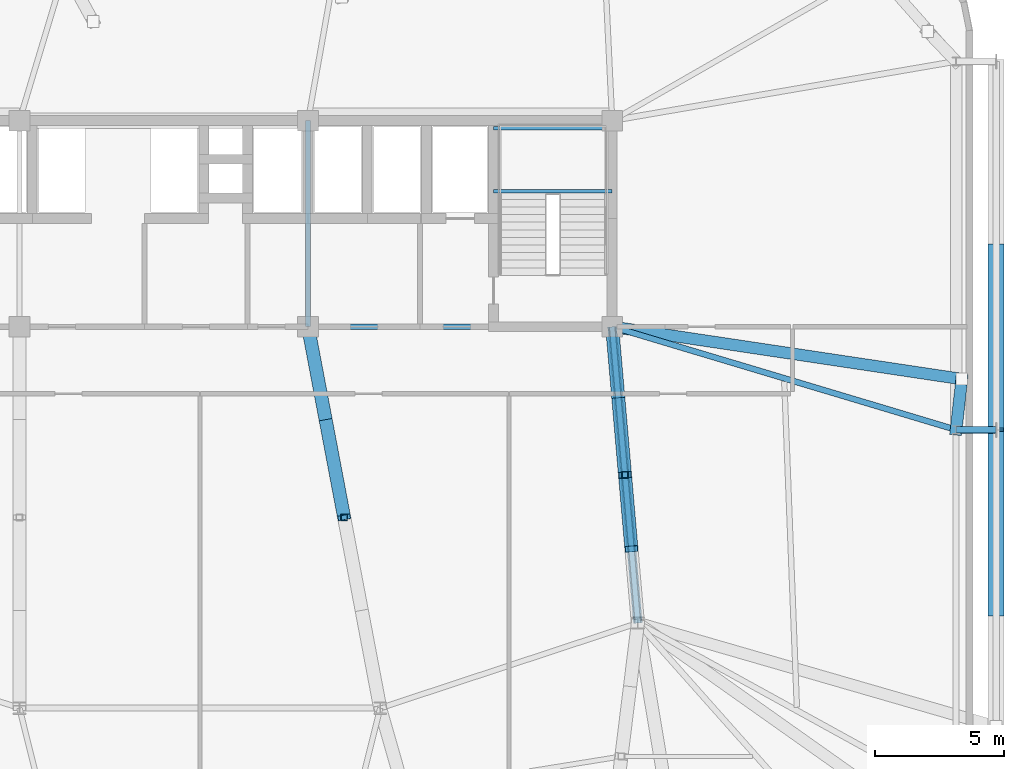
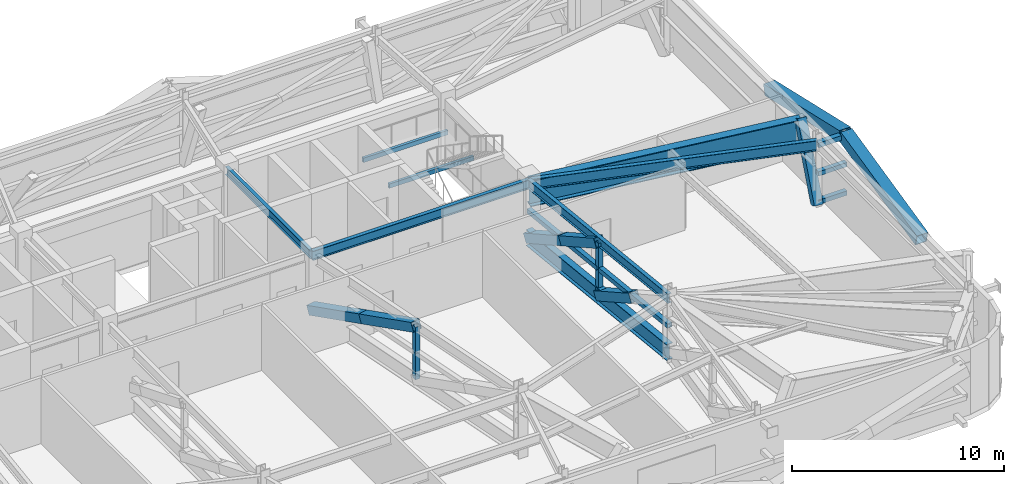
# One storey, part 10 of 24: 17 members, 7 beams.
"""IFC4 building model written with IfcOpenShell, lengths in metres."""

from ifc_helpers import new_model, si_unit, direction, frame, origin, origin_2d, place, context, subcontext, project, spatial, hollow_rectangle, i_section, extrude, source, transform, mapped, material, material_profile, profile_set, type_object, element, save


model = new_model("IFC4")

# Units and contexts
model_context = context("Model", 3, precision=1e-05, world=origin(), true_north=direction((0.0, 1.0)))
body_context = subcontext(model_context, "Body", "Model", "MODEL_VIEW")
ifc_project = project(units=[si_unit("LENGTHUNIT", "METRE"), si_unit("AREAUNIT", "SQUARE_METRE"), si_unit("VOLUMEUNIT", "CUBIC_METRE"), si_unit("PLANEANGLEUNIT", "RADIAN"), si_unit("MASSUNIT", "GRAM", prefix="KILO")], contexts=[model_context])

# Site, building, storey
site_placement = place(None, origin())
site = spatial("IfcSite", under=ifc_project, at=site_placement, CompositionType="ELEMENT")
building_placement = place(site_placement, origin())
building = spatial("IfcBuilding", under=site, at=building_placement, Name="Taldren Reach Tower", CompositionType="ELEMENT")
storey_placement = place(building_placement, frame((0.0, 0.0, 60.89990234375)))
storey = spatial("IfcBuildingStorey", under=building, at=storey_placement, Name="L18", CompositionType="ELEMENT", Elevation=60.89990234375)

# Beams
ifc_material_1 = material(Name="Steel Gr 350 (350PLUS)", Category="steel")
ifc_material_profile_1 = material_profile(ifc_material_1, i_section(OverallWidth=0.208984375, OverallDepth=0.532958984375, WebThickness=0.01025390625, FlangeThickness=0.015625, at=origin_2d()), Name="530UB92.4")
ifc_profile_set_1 = profile_set([ifc_material_profile_1], Name="Steel Gr 350 (350PLUS)")
beam_type_1 = type_object("IfcBeamType", Name="BM-UB530A", PredefinedType="BEAM", material=ifc_profile_set_1)
shared_shape_1 = source(origin(), body_context, "Body", "SweptSolid", [
    extrude(i_section(OverallWidth=0.208984375, OverallDepth=0.532958984375, WebThickness=0.01025390625, FlangeThickness=0.015625, at=origin_2d()), origin(), (0.0, 0.0, 1.0), 11.800048828125),
])
beam_1_placement = place(storey_placement, frame((39.199951171875, 24.0, 3.513671875), z_axis=(1.0, 0.0, 0.0), x_axis=(0.0, 1.0, 0.0)))
element("IfcBeam", 1, at=beam_1_placement, inside=storey, type_object=beam_type_1, Name="Core-spine girder L18-SP03", PredefinedType="BEAM", context=body_context, shape_type="MappedRepresentation", body=[
    mapped(shared_shape_1, transform((0.0, 0.0, 0.0), scale=1.0)),
])
ifc_material_profile_2 = material_profile(ifc_material_1, i_section(OverallWidth=0.19091796875, OverallDepth=0.4599609375, WebThickness=0.010009765625, FlangeThickness=0.01611328125, at=origin_2d()), Name="460UB82.1")
ifc_profile_set_2 = profile_set([ifc_material_profile_2], Name="Steel Gr 350 (350PLUS)")
beam_type_2 = type_object("IfcBeamType", Name="BM-UB460A", PredefinedType="BEAM", material=ifc_profile_set_2)
shared_shape_2 = source(origin(), body_context, "Body", "SweptSolid", [
    extrude(i_section(OverallWidth=0.19091796875, OverallDepth=0.4599609375, WebThickness=0.010009765625, FlangeThickness=0.01611328125, at=origin_2d()), origin(), (0.0, 0.0, 1.0), 8.0),
])
beam_2_placement = place(storey_placement, frame((39.199951171875, 24.0, 3.550048828125), z_axis=(0.0, 1.0, 0.0), x_axis=(-1.0, 0.0, 0.0)))
element("IfcBeam", 2, at=beam_2_placement, inside=storey, type_object=beam_type_2, Name="Core-spine girder L18-SP08", PredefinedType="BEAM", context=body_context, shape_type="MappedRepresentation", body=[
    mapped(shared_shape_2, transform((0.0, 0.0, 0.0), scale=1.0)),
])
shared_shape_3 = source(origin(), body_context, "Body", "SweptSolid", [
    extrude(i_section(OverallWidth=0.208984375, OverallDepth=0.532958984375, WebThickness=0.01025390625, FlangeThickness=0.015625, at=origin_2d()), origin(), (0.0, 0.0, 1.0), 11.54345703125),
])
beam_3_placement = place(storey_placement, frame((52.0, 12.5, 3.513671875), z_axis=(-0.086629616365, 0.996240588196, 0.0), x_axis=(-0.996240588196, -0.086629616365, 0.0)))
element("IfcBeam", 3, at=beam_3_placement, inside=storey, type_object=beam_type_1, Name="Core-spine girder L18-SP13", PredefinedType="BEAM", context=body_context, shape_type="MappedRepresentation", body=[
    mapped(shared_shape_3, transform((0.0, 0.0, 0.0), scale=1.0)),
])
ifc_material_profile_3 = material_profile(ifc_material_1, i_section(OverallWidth=0.22802734375, OverallDepth=0.60205078125, WebThickness=0.010498046875, FlangeThickness=0.014892578125, at=origin_2d()), Name="610UB101")
ifc_profile_set_3 = profile_set([ifc_material_profile_3], Name="Steel Gr 350 (350PLUS)")
beam_type_3 = type_object("IfcBeamType", Name="BM-UB610B", PredefinedType="BEAM", material=ifc_profile_set_3)
shared_shape_4 = source(origin(), body_context, "Body", "SweptSolid", [
    extrude(i_section(OverallWidth=0.22802734375, OverallDepth=0.60205078125, WebThickness=0.010498046875, FlangeThickness=0.014892578125, at=origin_2d()), origin(), (0.0, 0.0, 1.0), 13.9365234375),
])
beam_4_placement = place(storey_placement, frame((51.0, 24.0, 3.47900390625), z_axis=(0.957925550891, -0.287016792104, 0.0), x_axis=(0.287016792104, 0.957925550891, 0.0)))
element("IfcBeam", 4, at=beam_4_placement, inside=storey, type_object=beam_type_3, Name="Primary floor girder B1-E2 L18", PredefinedType="BEAM", context=body_context, shape_type="MappedRepresentation", body=[
    mapped(shared_shape_4, transform((0.0, 0.0, 0.0), scale=1.0)),
])

# Members
ifc_material_2 = material(Name="Steel Gr 450 (C450L0)", Category="steel")
ifc_material_profile_4 = material_profile(ifc_material_2, hollow_rectangle(XDim=0.27490234375, YDim=0.27490234375, WallThickness=0.00927734375, at=origin_2d()), Name="275x275x9.3SHS")
ifc_profile_set_4 = profile_set([ifc_material_profile_4], Name="Steel Gr 450 (C450L0)")
member_type_1 = type_object("IfcMemberType", Name="MB-TIE273", PredefinedType="STRUT", material=ifc_profile_set_4)
shared_shape_5 = source(origin(), body_context, "Body", "SweptSolid", [
    extrude(hollow_rectangle(XDim=0.27490234375, YDim=0.27490234375, WallThickness=0.00927734375, at=origin_2d()), origin(), (0.0, 0.0, 1.0), 1.5498046875),
])
member_1_placement = place(storey_placement, frame((64.35009765625, 20.0, 3.5), z_axis=(1.0, 0.0, 0.0), x_axis=(0.0, 1.0, 0.0)))
element("IfcMember", 5, at=member_1_placement, inside=storey, type_object=member_type_1, Name="Exoskeleton diaphragm tie strut B1-E2 L18", PredefinedType="STRUT", context=body_context, shape_type="MappedRepresentation", body=[
    mapped(shared_shape_5, transform((0.0, 0.0, 0.0), scale=1.0)),
])
ifc_material_3 = material(Name="Steel Gr 350 (C350L0)", Category="steel")
ifc_material_profile_5 = material_profile(ifc_material_3, hollow_rectangle(XDim=0.25, YDim=0.25, WallThickness=0.010009765625, at=origin_2d()), Name="250x250x10.0SHS")
ifc_profile_set_5 = profile_set([ifc_material_profile_5], Name="Steel Gr 350 (C350L0)")
member_type_2 = type_object("IfcMemberType", Name="MB-POST250", PredefinedType="POST", material=ifc_profile_set_5)
shared_shape_6 = source(origin(), body_context, "Body", "SweptSolid", [
    extrude(hollow_rectangle(XDim=0.25, YDim=0.25, WallThickness=0.010009765625, at=origin_2d()), origin(), (0.0, 0.0, 1.0), 1.5498046875),
])
for number, where, z_axis, x_axis, name in (
    (6, (64.35009765625, 20.0, 0.22021484375), (1.0, 0.0, 0.0), (0.0, 1.0, 0.0), "Exoskeleton base diaphragm tie strut B1-E2 L18"),
    (7, (64.35009765625, 20.0, 1.860107421875), (1.0, 0.0, 0.0), (0.0, 1.0, 0.0), "Exoskeleton mid-tier diaphragm tie B1-E2 L18"),
):
    element("IfcMember", number, at=place(storey_placement, frame(where, z_axis=z_axis, x_axis=x_axis)), inside=storey, type_object=member_type_2, Name=name, PredefinedType="POST", context=body_context, shape_type="MappedRepresentation", body=[
        mapped(shared_shape_6, transform((0.0, 0.0, 0.0), scale=1.0)),
    ])
ifc_material_profile_6 = material_profile(ifc_material_2, hollow_rectangle(XDim=0.4599609375, YDim=0.4599609375, WallThickness=0.01611328125, at=origin_2d()), Name="460x460x16.0SHS")
ifc_profile_set_6 = profile_set([ifc_material_profile_6], Name="Steel Gr 450 (C450L0)")
member_type_3 = type_object("IfcMemberType", Name="MB-EXO457", PredefinedType="BRACE", material=ifc_profile_set_6)
shared_shape_7 = source(origin(), body_context, "Body", "SweptSolid", [
    extrude(hollow_rectangle(XDim=0.4599609375, YDim=0.4599609375, WallThickness=0.01611328125, at=origin_2d()), origin(), (0.0, 0.0, 1.0), 4.25),
])
member_2_placement = place(storey_placement, frame((64.35009765625, 20.0, 0.02001953125), z_axis=(0.051642516951, 0.463289098117, 0.884701227539), x_axis=(-0.993844599746, 0.110783173611, 0.0)))
element("IfcMember", 8, at=member_2_placement, inside=storey, type_object=member_type_3, Name="Outrigger Belt Truss Transfer Strut TS-B2-E2 L18", PredefinedType="BRACE", context=body_context, shape_type="MappedRepresentation", body=[
    mapped(shared_shape_7, transform((0.0, 0.0, 0.0), scale=1.0)),
])

# Beam
ifc_material_profile_7 = material_profile(ifc_material_1, i_section(OverallWidth=0.449951171875, OverallDepth=1.5, WebThickness=0.02001953125, FlangeThickness=0.0439453125, at=origin_2d()), Name="1500WB550")
ifc_profile_set_7 = profile_set([ifc_material_profile_7], Name="Steel Gr 350 (350PLUS)")
beam_type_4 = type_object("IfcBeamType", Name="BM-PG1500", PredefinedType="BEAM", material=ifc_profile_set_7)
shared_shape_8 = source(origin(), body_context, "Body", "SweptSolid", [
    extrude(i_section(OverallWidth=0.449951171875, OverallDepth=1.5, WebThickness=0.02001953125, FlangeThickness=0.0439453125, at=origin_2d()), origin(), (0.0, 0.0, 1.0), 13.720703125),
])
beam_5_placement = place(storey_placement, frame((51.0, 24.0, 3.030029296875), z_axis=(0.988983679407, -0.148024598856, 0.0), x_axis=(0.148024598856, 0.988983679407, 0.0)))
element("IfcBeam", 9, at=beam_5_placement, inside=storey, type_object=beam_type_4, Name="Belt Truss Transfer Girder TG-B2-E2A on L18", PredefinedType="BEAM", context=body_context, shape_type="MappedRepresentation", body=[
    mapped(shared_shape_8, transform((0.0, 0.0, 0.0), scale=1.0)),
])

# Members
ifc_material_profile_8 = material_profile(ifc_material_1, i_section(OverallWidth=0.35009765625, OverallDepth=0.916015625, WebThickness=0.013916015625, FlangeThickness=0.028076171875, at=origin_2d()), Name="900WB257")
ifc_profile_set_8 = profile_set([ifc_material_profile_8], Name="Steel Gr 350 (350PLUS)")
member_type_4 = type_object("IfcMemberType", Name="MB-CH900", PredefinedType="CHORD", material=ifc_profile_set_8)
shared_shape_9 = source(origin(), body_context, "Body", "SweptSolid", [
    extrude(i_section(OverallWidth=0.35009765625, OverallDepth=0.916015625, WebThickness=0.013916015625, FlangeThickness=0.028076171875, at=origin_2d()), origin(), (0.0, 0.0, 1.0), 11.54345703125),
])
member_3_placement = place(storey_placement, frame((51.0, 24.0, 0.4501953125), z_axis=(0.086629616365, -0.996240588196, 0.0), x_axis=(0.996240588196, 0.086629616365, 0.0)))
element("IfcMember", 10, at=member_3_placement, inside=storey, type_object=member_type_4, Name="Outrigger Transfer Truss Bottom Chord OT-E1 L18", PredefinedType="CHORD", context=body_context, shape_type="MappedRepresentation", body=[
    mapped(shared_shape_9, transform((0.0, 0.0, 0.0), scale=1.0)),
])
shared_shape_10 = source(origin(), body_context, "Body", "SweptSolid", [
    extrude(hollow_rectangle(XDim=0.25, YDim=0.25, WallThickness=0.010009765625, at=origin_2d()), origin(), (0.0, 0.0, 1.0), 11.54345703125),
])
member_4_placement = place(storey_placement, frame((51.0, 24.0, 1.955078125), z_axis=(0.086629616365, -0.996240588196, 0.0), x_axis=(0.996240588196, 0.086629616365, 0.0)))
element("IfcMember", 11, at=member_4_placement, inside=storey, type_object=member_type_2, Name="Outrigger Transfer Truss Mid Chord OT-E1 L18", PredefinedType="POST", context=body_context, shape_type="MappedRepresentation", body=[
    mapped(shared_shape_10, transform((0.0, 0.0, 0.0), scale=1.0)),
])
shared_shape_11 = source(origin(), body_context, "Body", "SweptSolid", [
    extrude(hollow_rectangle(XDim=0.25, YDim=0.25, WallThickness=0.010009765625, at=origin_2d()), origin(), (0.0, 0.0, 1.0), 1.5048828125),
])
for number, where, z_axis, x_axis, name in (
    (12, (40.60009765625, 16.60009765625, 0.4501953125), (0.0, 0.0, 1.0), (1.0, 0.0, 0.0), "Outrigger Transfer Truss Vertical Post OT-M2 L18"),
    (13, (51.5, 18.25, 0.4501953125), (0.0, 0.0, 1.0), (1.0, 0.0, 0.0), "Outrigger Transfer Truss Vertical Post OT-E1 L18"),
):
    element("IfcMember", number, at=place(storey_placement, frame(where, z_axis=z_axis, x_axis=x_axis)), inside=storey, type_object=member_type_2, Name=name, PredefinedType="POST", context=body_context, shape_type="MappedRepresentation", body=[
        mapped(shared_shape_11, transform((0.0, 0.0, 0.0), scale=1.0)),
    ])
shared_shape_12 = source(origin(), body_context, "Body", "SweptSolid", [
    extrude(hollow_rectangle(XDim=0.25, YDim=0.25, WallThickness=0.010009765625, at=origin_2d()), origin(), (0.0, 0.0, 1.0), 1.505126953125),
])
for number, where, z_axis, x_axis, name in (
    (14, (40.60009765625, 16.60009765625, 1.955078125), (0.0, 0.0, 1.0), (1.0, 0.0, 0.0), "Outrigger Transfer Truss Vertical Post OT-M2 L18"),
    (15, (51.5, 18.25, 1.955078125), (0.0, 0.0, 1.0), (1.0, 0.0, 0.0), "Outrigger Transfer Truss Vertical Post OT-E1 L18"),
):
    element("IfcMember", number, at=place(storey_placement, frame(where, z_axis=z_axis, x_axis=x_axis)), inside=storey, type_object=member_type_2, Name=name, PredefinedType="POST", context=body_context, shape_type="MappedRepresentation", body=[
        mapped(shared_shape_12, transform((0.0, 0.0, 0.0), scale=1.0)),
    ])
ifc_material_profile_9 = material_profile(ifc_material_2, hollow_rectangle(XDim=0.510009765625, YDim=0.510009765625, WallThickness=0.02001953125, at=origin_2d()), Name="510x510x20.0SHS")
ifc_profile_set_9 = profile_set([ifc_material_profile_9], Name="Steel Gr 450 (C450L0)")
member_type_5 = type_object("IfcMemberType", Name="MB-EXO508", PredefinedType="BRACE", material=ifc_profile_set_9)
shared_shape_13 = source(origin(), body_context, "Body", "SweptSolid", [
    extrude(hollow_rectangle(XDim=0.510009765625, YDim=0.510009765625, WallThickness=0.02001953125, at=origin_2d()), origin(), (0.0, 0.0, 1.0), 3.254638671875),
])
for number, where, z_axis, x_axis, name in (
    (16, (51.0, 24.0, 0.4501953125), (0.076812991328, -0.883349400268, 0.462378201703), (0.996240588196, 0.086629616365, 0.0), "Outrigger Transfer Truss Diagonal OT-E1A L18"),
    (17, (51.5, 18.25, 0.4501953125), (0.076812991328, -0.883349400268, 0.462378201703), (0.996240588196, 0.086629616365, 0.0), "Outrigger Transfer Truss Diagonal OT-E1B L18"),
):
    element("IfcMember", number, at=place(storey_placement, frame(where, z_axis=z_axis, x_axis=x_axis)), inside=storey, type_object=member_type_5, Name=name, PredefinedType="BRACE", context=body_context, shape_type="MappedRepresentation", body=[
        mapped(shared_shape_13, transform((0.0, 0.0, 0.0), scale=1.0)),
    ])
shared_shape_14 = source(origin(), body_context, "Body", "SweptSolid", [
    extrude(hollow_rectangle(XDim=0.510009765625, YDim=0.510009765625, WallThickness=0.02001953125, at=origin_2d()), origin(), (0.0, 0.0, 1.0), 3.2548828125),
])
member_5_placement = place(storey_placement, frame((51.25, 21.125, 1.955078125), z_axis=(0.076810327051, -0.883318761082, 0.462437174089), x_axis=(0.996240588196, 0.086629616365, 0.0)))
element("IfcMember", 18, at=member_5_placement, inside=storey, type_object=member_type_5, Name="Outrigger Transfer Truss Diagonal OT-E1A L18", PredefinedType="BRACE", context=body_context, shape_type="MappedRepresentation", body=[
    mapped(shared_shape_14, transform((0.0, 0.0, 0.0), scale=1.0)),
])
shared_shape_15 = source(origin(), body_context, "Body", "SweptSolid", [
    extrude(hollow_rectangle(XDim=0.510009765625, YDim=0.510009765625, WallThickness=0.02001953125, at=origin_2d()), origin(), (0.0, 0.0, 1.0), 4.05517578125),
])
for number, where, z_axis, x_axis, name in (
    (19, (39.199951171875, 24.0, 0.4501953125), (0.172607955073, -0.91240793831, 0.371104093153), (0.982572166, 0.185881517646, 0.0), "Outrigger Transfer Truss Diagonal OT-M2A L18"),
    (20, (39.89990234375, 20.300048828125, 1.955078125), (0.172662507643, -0.912378069502, 0.371152147706), (0.982560322582, 0.185944111195, 0.0), "Outrigger Transfer Truss Diagonal OT-M2A L18"),
):
    element("IfcMember", number, at=place(storey_placement, frame(where, z_axis=z_axis, x_axis=x_axis)), inside=storey, type_object=member_type_5, Name=name, PredefinedType="BRACE", context=body_context, shape_type="MappedRepresentation", body=[
        mapped(shared_shape_15, transform((0.0, 0.0, 0.0), scale=1.0)),
    ])
ifc_material_profile_10 = material_profile(ifc_material_2, hollow_rectangle(XDim=0.614990234375, YDim=0.614990234375, WallThickness=0.02490234375, at=origin_2d()), Name="615x615x25.0SHS")
ifc_profile_set_10 = profile_set([ifc_material_profile_10], Name="Steel Gr 450 (C450L0)")
member_type_6 = type_object("IfcMemberType", Name="MB-EXO610", PredefinedType="BRACE", material=ifc_profile_set_10)
shared_shape_16 = source(origin(), body_context, "Body", "SweptSolid", [
    extrude(hollow_rectangle(XDim=0.614990234375, YDim=0.614990234375, WallThickness=0.02490234375, at=origin_2d()), origin(), (0.0, 0.0, 1.0), 7.33544921875),
])
for number, where, z_axis, x_axis, name in (
    (21, (65.89990234375, 12.85009765625, 1.860107421875), (0.0, 0.974691540641, 0.223554021665), (-1.0, 0.0, 0.0), "Exoskeleton Diagrid Brace B1-E1 L18"),
    (22, (65.89990234375, 27.14990234375, 1.860107421875), (0.0, -0.974691540641, 0.223554021665), (1.0, 0.0, 0.0), "Exoskeleton Diagrid Brace B1-E2 L18"),
):
    element("IfcMember", number, at=place(storey_placement, frame(where, z_axis=z_axis, x_axis=x_axis)), inside=storey, type_object=member_type_6, Name=name, PredefinedType="BRACE", context=body_context, shape_type="MappedRepresentation", body=[
        mapped(shared_shape_16, transform((0.0, 0.0, 0.0), scale=1.0)),
    ])

# Beams
ifc_material_profile_11 = material_profile(ifc_material_3, hollow_rectangle(XDim=0.14990234375, YDim=0.25, WallThickness=0.009033203125, at=origin_2d()), Name="250x150x9.0RHS")
ifc_profile_set_11 = profile_set([ifc_material_profile_11], Name="Steel Gr 350 (C350L0)")
beam_type_5 = type_object("IfcBeamType", Name="LN-RHS250", PredefinedType="LINTEL", material=ifc_profile_set_11)
shared_shape_17 = source(origin(), body_context, "Body", "SweptSolid", [
    extrude(hollow_rectangle(XDim=0.14990234375, YDim=0.25, WallThickness=0.009033203125, at=origin_2d()), origin(), (0.0, 0.0, 1.0), 4.60009765625),
])
for number, where, z_axis, x_axis, name in (
    (23, (46.39990234375, 29.2548828125, 1.795166015625), (1.0, 0.0, 0.0), (0.0, 1.0, 0.0), "Stair half-landing support beam ST2-L18-1"),
    (24, (46.39990234375, 31.699951171875, 1.795166015625), (1.0, 0.0, 0.0), (0.0, 1.0, 0.0), "Stair half-landing support beam ST2-L18-2"),
):
    element("IfcBeam", number, at=place(storey_placement, frame(where, z_axis=z_axis, x_axis=x_axis)), inside=storey, type_object=beam_type_5, Name=name, PredefinedType="LINTEL", context=body_context, shape_type="MappedRepresentation", body=[
        mapped(shared_shape_17, transform((0.0, 0.0, 0.0), scale=1.0)),
    ])

save(model, "model.ifc")
